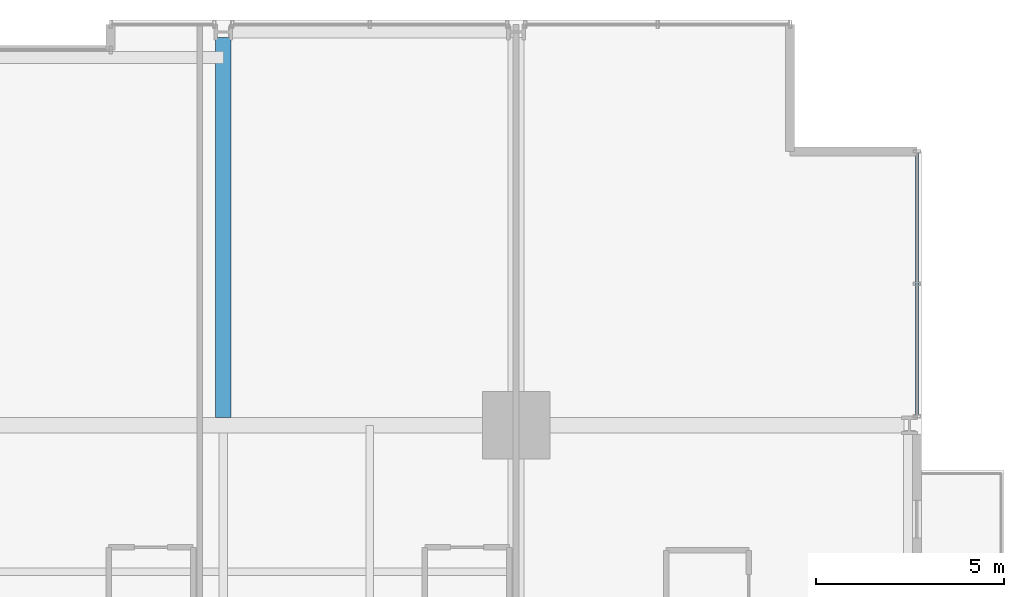
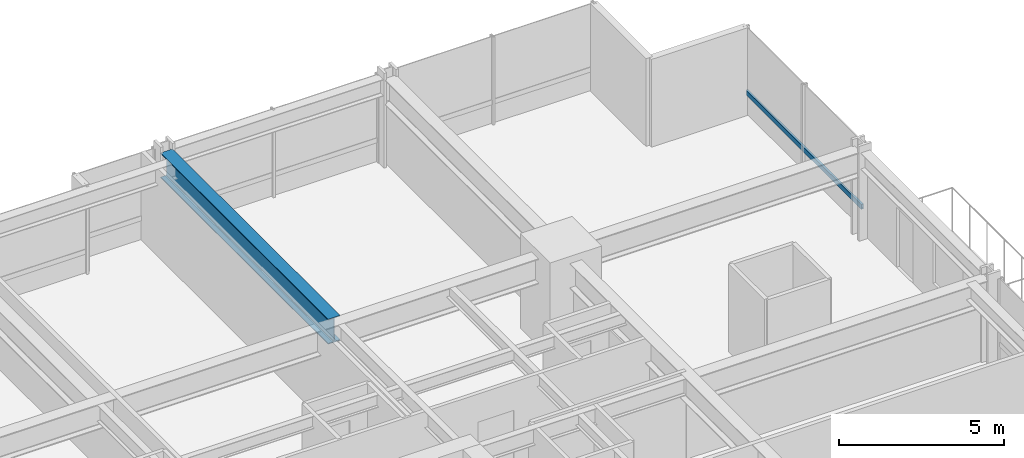
# One storey, part 26 of 37: 1 beam, 1 member, 1 element without a shape of its own.
"""IFC4 building model written with IfcOpenShell, lengths in metres."""

from ifc_helpers import new_model, si_unit, direction, frame, origin, origin_2d, place, context, subcontext, project, spatial, hollow_rectangle, i_section, extrude, material, layer, layer_set, material_profile, profile_set, type_object, element, aggregate, save


model = new_model("IFC4")

# Units and contexts
model_context = context("Model", 3, precision=1e-05, world=origin(), true_north=direction((0.0, 1.0)))
body_context = subcontext(model_context, "Body", "Model", "MODEL_VIEW")
ifc_project = project(units=[si_unit("LENGTHUNIT", "METRE"), si_unit("AREAUNIT", "SQUARE_METRE"), si_unit("VOLUMEUNIT", "CUBIC_METRE"), si_unit("PLANEANGLEUNIT", "RADIAN"), si_unit("MASSUNIT", "GRAM", prefix="KILO")], contexts=[model_context])

# Site, building, storey
site_placement = place(None, origin())
site = spatial("IfcSite", under=ifc_project, at=site_placement, CompositionType="ELEMENT")
building_placement = place(site_placement, origin())
building = spatial("IfcBuilding", under=site, at=building_placement, Name="Drelvath Grand Hotel", CompositionType="ELEMENT")
storey_placement = place(building_placement, frame((0.0, 0.0, 43.699951171875)))
storey = spatial("IfcBuildingStorey", under=building, at=storey_placement, Name="L09", CompositionType="ELEMENT", Elevation=43.699951171875)

# Curtain wall, member
ifc_material_1 = material(Name="Warm Bronze Anodised Aluminium Frame", Category="aluminium")
ifc_layer = layer(ifc_material_1, 0.199951171875)
ifc_layer_set = layer_set([ifc_layer], Name="Warm Bronze Anodised Aluminium Frame")
curtain_wall_type = type_object("IfcCurtainWallType", Name="Stick Curtain Wall CW-02 Warm Bronze Low-Rise", PredefinedType="NOTDEFINED", material=ifc_layer_set)
curtain_wall_placement = place(storey_placement, origin())
curtain_wall = element("IfcCurtainWall", 1, at=curtain_wall_placement, inside=storey, type_object=curtain_wall_type, Name="L09 CW-02 Curtain Wall CW02-L09-EN3", PredefinedType="NOTDEFINED")
ifc_material_profile_1 = material_profile(ifc_material_1, hollow_rectangle(XDim=0.074951171875, YDim=0.179931640625, WallThickness=0.0048828125, at=origin_2d()), Name="HSS180X75X5")
ifc_profile_set_1 = profile_set([ifc_material_profile_1], Name="Warm Bronze Anodised Aluminium Frame")
member_type = type_object("IfcMemberType", Name="Curtain Wall Horizontal Transom CW-02 HSS180X75X5", PredefinedType="USERDEFINED", material=ifc_profile_set_1)
member_placement = place(storey_placement, frame((26.8798828125, 50.4599609375, 0.81005859375), z_axis=(0.0, -1.0, 0.0), x_axis=(1.0, 0.0, 0.0)))
member = element("IfcMember", 2, at=member_placement, type_object=member_type, Name="CW02-L09-EN3 Sill Transom", ObjectType="TRANSOM", PredefinedType="USERDEFINED", context=body_context, shape_type="SweptSolid", body=[
    extrude(hollow_rectangle(XDim=0.074951171875, YDim=0.179931640625, WallThickness=0.0048828125, at=origin_2d()), origin(), (0.0, 0.0, 1.0), 6.97900390625),
])
aggregate(curtain_wall, [member])

# Beam
ifc_material_2 = material(Name="Steel ASTM A992 Gr 50", Category="steel")
ifc_material_profile_2 = material_profile(ifc_material_2, i_section(OverallWidth=0.418212890625, OverallDepth=0.926513671875, WebThickness=0.019287109375, FlangeThickness=0.031982421875, FilletRadius=0.028076171875, at=origin_2d()), Name="W36X231")
ifc_profile_set_2 = profile_set([ifc_material_profile_2], Name="Steel ASTM A992 Gr 50")
beam_type = type_object("IfcBeamType", Name="Primary Floor Girder W36X231", PredefinedType="BEAM", material=ifc_profile_set_2)
beam_placement = place(storey_placement, frame((8.39990234375, 43.4091796875, 2.77685546875), z_axis=(0.0, 1.0, 0.0), x_axis=(-1.0, 0.0, 0.0)))
element("IfcBeam", 3, at=beam_placement, inside=storey, type_object=beam_type, Name="L09 North Wing Girder 6", PredefinedType="BEAM", context=body_context, shape_type="SweptSolid", body=[
    extrude(i_section(OverallWidth=0.418212890625, OverallDepth=0.926513671875, WebThickness=0.019287109375, FlangeThickness=0.031982421875, FilletRadius=0.028076171875, at=origin_2d()), origin(), (0.0, 0.0, 1.0), 10.130859375),
])

save(model, "model.ifc")
